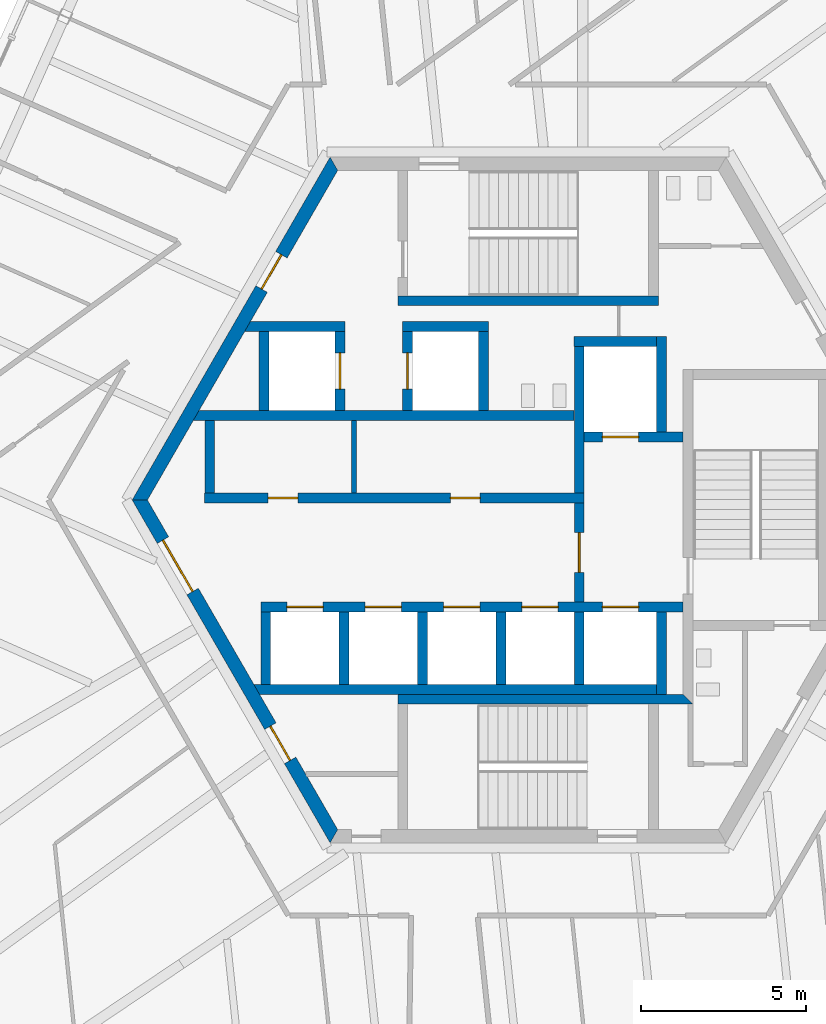
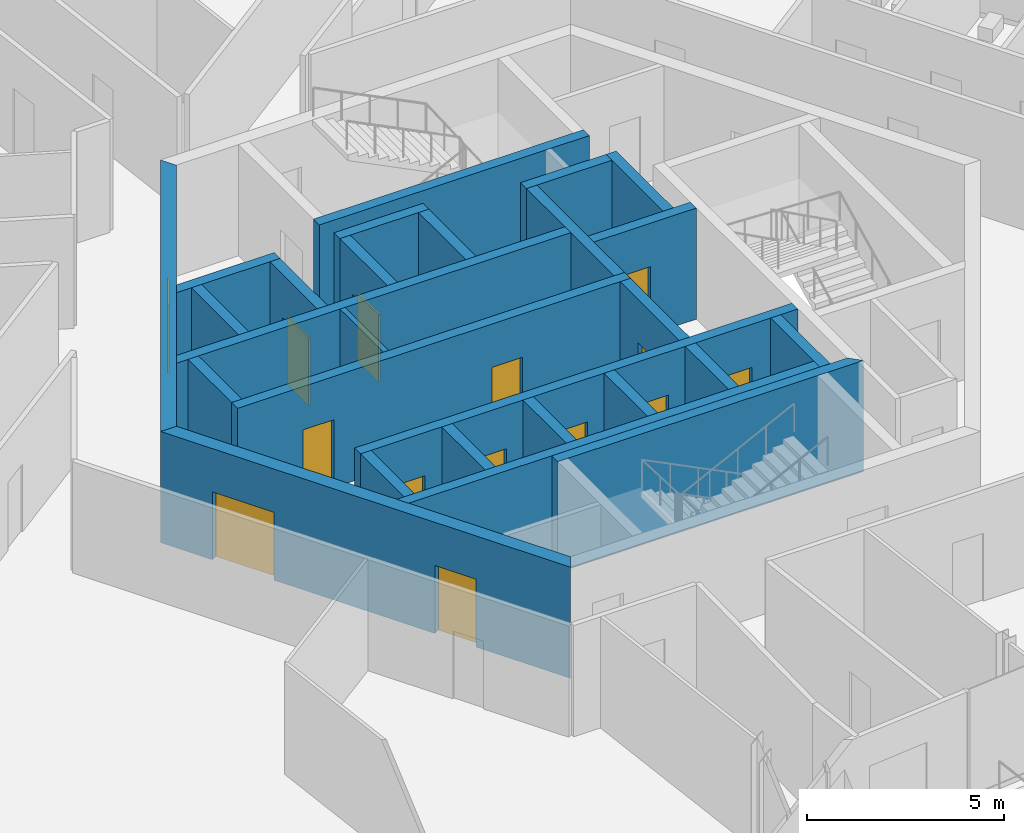
# One storey, part 12 of 19: 27 walls, 14 doors, 14 openings.
"""IFC4 building model written with IfcOpenShell, lengths in metres."""

from ifc_helpers import new_model, si_unit, direction, frame, frame_2d, origin, place, context, subcontext, project, spatial, polyline, rectangle, outline, extrude, source, transform, mapped, material, layer, layer_set, type_object, element, fill, save


model = new_model("IFC4")

# Units and contexts
model_context = context("Model", 3, precision=1e-05, world=origin(), true_north=direction((0.0, 1.0)))
body_context = subcontext(model_context, "Body", "Model", "MODEL_VIEW")
ifc_project = project(units=[si_unit("LENGTHUNIT", "METRE"), si_unit("AREAUNIT", "SQUARE_METRE"), si_unit("VOLUMEUNIT", "CUBIC_METRE"), si_unit("PLANEANGLEUNIT", "RADIAN"), si_unit("MASSUNIT", "GRAM", prefix="KILO")], contexts=[model_context])

# Site, building, storey
site_placement = place(None, origin())
site = spatial("IfcSite", under=ifc_project, at=site_placement, CompositionType="ELEMENT")
building_placement = place(site_placement, origin())
building = spatial("IfcBuilding", under=site, at=building_placement, Name="Triune Harvest Tower", CompositionType="ELEMENT")
storey_placement = place(building_placement, frame((0.0, 0.0, 244.89990234375)))
storey = spatial("IfcBuildingStorey", under=building, at=storey_placement, Name="L64", CompositionType="ELEMENT", Elevation=244.89990234375)

# Wall, opening, door
ifc_material_1 = material(Name="Concrete 70 MPa", Category="concrete")
ifc_layer_1 = layer(ifc_material_1, 0.39990234375)
ifc_layer_set_1 = layer_set([ifc_layer_1], Name="Concrete 70 MPa")
wall_type_1 = type_object("IfcWallType", Name="Core wall 400", PredefinedType="SHEAR", material=ifc_layer_set_1)
shared_shape_1 = source(origin(), body_context, "Body", "SweptSolid", [
    extrude(outline(polyline([(-0.115478515625, -0.199951171875), (11.884521484375, -0.199951171875), (11.653564453125, 0.199951171875), (0.115478515625, 0.199951171875), (-0.115478515625, -0.199951171875)])), origin(), (0.0, 0.0, 1.0), 3.440185546875),
])
wall_1_placement = place(storey_placement, frame((-5.884521484375, 10.1923828125, 0.0), z_axis=(0.0, 0.0, 1.0), x_axis=(-0.499996592174, -0.866027371285, 0.0)))
wall_1 = element("IfcWall", 1, at=wall_1_placement, inside=storey, type_object=wall_type_1, Name="Hexagon 2 wall", PredefinedType="SHEAR", context=body_context, shape_type="MappedRepresentation", body=[
    mapped(shared_shape_1, transform((0.0, 0.0, 0.0), scale=1.0)),
])
opening_1_placement = place(wall_1_placement, frame((3.1845703125, 0.0, 0.0)))
opening_1 = element("IfcOpeningElement", 2, at=opening_1_placement, cuts=wall_1, Name="Opening CD-SVP", PredefinedType="OPENING", context=body_context, shape_type="SweptSolid", body=[
    extrude(rectangle(XDim=1.199951171875, YDim=2.10009765625, at=frame_2d((0.60009765625, 1.050048828125))), frame((0.0, 0.2099609375, 0.0), z_axis=(0.0, -1.0, 0.0), x_axis=(1.0, 0.0, 0.0)), (0.0, 0.0, 1.0), 0.419921875),
])
ifc_material_2 = material(Name="Steel S235", Category="steel")
door_type_1 = type_object("IfcDoorType", Name="Service door 1200 FD120", OperationType="SINGLE_SWING_LEFT", PredefinedType="DOOR", material=ifc_material_2)
door_1_placement = place(opening_1_placement, frame((1.199951171875, 0.0, 0.0), z_axis=(0.0, 0.0, 1.0), x_axis=(-1.0, 0.0, 0.0)))
door_1 = element("IfcDoor", 3, at=door_1_placement, inside=storey, type_object=door_type_1, Name="Door CD-SVP", OperationType="SINGLE_SWING_RIGHT", OverallHeight=2.10009765625, OverallWidth=1.199951171875, PredefinedType="DOOR", context=body_context, shape_type="SweptSolid", body=[
    extrude(rectangle(XDim=1.199951171875, YDim=2.10009765625, at=frame_2d((0.60009765625, 1.050048828125))), frame((0.0, 0.02490234375, 0.0), z_axis=(0.0, -1.0, 0.0), x_axis=(1.0, 0.0, 0.0)), (0.0, 0.0, 1.0), 0.050048828125),
])
fill(opening_1, door_1)

# Wall, openings, doors
wall_2_placement = place(storey_placement, frame((-11.76904296875, 0.0, 0.0), z_axis=(0.0, 0.0, 1.0), x_axis=(0.499996592174, -0.866027371285, 0.0)))
wall_2 = element("IfcWall", 4, at=wall_2_placement, inside=storey, type_object=wall_type_1, Name="Hexagon 3 wall", PredefinedType="SHEAR", context=body_context, shape_type="MappedRepresentation", body=[
    mapped(shared_shape_1, transform((0.0, 0.0, 0.0), scale=1.0)),
])
opening_2_placement = place(wall_2_placement, frame((1.404541015625, 0.0, 0.0)))
opening_2 = element("IfcOpeningElement", 5, at=opening_2_placement, cuts=wall_2, Name="Opening CD-LS", PredefinedType="OPENING", context=body_context, shape_type="SweptSolid", body=[
    extrude(rectangle(XDim=1.800048828125, YDim=2.10009765625, at=frame_2d((0.89990234375, 1.050048828125))), frame((0.0, 0.2099609375, 0.0), z_axis=(0.0, -1.0, 0.0), x_axis=(1.0, 0.0, 0.0)), (0.0, 0.0, 1.0), 0.419921875),
])
opening_3_placement = place(wall_2_placement, frame((7.91455078125, 0.0, 0.0)))
opening_3 = element("IfcOpeningElement", 6, at=opening_3_placement, cuts=wall_2, Name="Opening CD-SWP", PredefinedType="OPENING", context=body_context, shape_type="SweptSolid", body=[
    extrude(rectangle(XDim=1.199951171875, YDim=2.10009765625, at=frame_2d((0.60009765625, 1.050048828125))), frame((0.0, 0.2099609375, 0.0), z_axis=(0.0, -1.0, 0.0), x_axis=(1.0, 0.0, 0.0)), (0.0, 0.0, 1.0), 0.419921875),
])
ifc_material_3 = material(Name="Steel S235", Category="steel")
door_type_2 = type_object("IfcDoorType", Name="Lobby door 1800 FD120", OperationType="DOUBLE_DOOR_DOUBLE_SWING", PredefinedType="DOOR", material=ifc_material_3)
door_2_placement = place(opening_2_placement, frame((1.800048828125, 0.0, 0.0), z_axis=(0.0, 0.0, 1.0), x_axis=(-1.0, 0.0, 0.0)))
door_2 = element("IfcDoor", 7, at=door_2_placement, inside=storey, type_object=door_type_2, Name="Door CD-LS", OperationType="DOUBLE_DOOR_DOUBLE_SWING", OverallHeight=2.10009765625, OverallWidth=1.800048828125, PredefinedType="DOOR", context=body_context, shape_type="SweptSolid", body=[
    extrude(rectangle(XDim=1.800048828125, YDim=2.10009765625, at=frame_2d((0.89990234375, 1.050048828125))), frame((0.0, 0.02490234375, 0.0), z_axis=(0.0, -1.0, 0.0), x_axis=(1.0, 0.0, 0.0)), (0.0, 0.0, 1.0), 0.050048828125),
])
fill(opening_2, door_2)
door_3_placement = place(opening_3_placement, frame((1.199951171875, 0.0, 0.0), z_axis=(0.0, 0.0, 1.0), x_axis=(-1.0, 0.0, 0.0)))
door_3 = element("IfcDoor", 8, at=door_3_placement, inside=storey, type_object=door_type_1, Name="Door CD-SWP", OperationType="SINGLE_SWING_RIGHT", OverallHeight=2.10009765625, OverallWidth=1.199951171875, PredefinedType="DOOR", context=body_context, shape_type="SweptSolid", body=[
    extrude(rectangle(XDim=1.199951171875, YDim=2.10009765625, at=frame_2d((0.60009765625, 1.050048828125))), frame((0.0, 0.02490234375, 0.0), z_axis=(0.0, -1.0, 0.0), x_axis=(1.0, 0.0, 0.0)), (0.0, 0.0, 1.0), 0.050048828125),
])
fill(opening_3, door_3)

ifc_material_4 = material(Name="Concrete 70 MPa", Category="concrete")
ifc_layer_2 = layer(ifc_material_4, 0.300048828125)
ifc_layer_set_2 = layer_set([ifc_layer_2], Name="Concrete 70 MPa")
wall_type_2 = type_object("IfcWallType", Name="Core wall 300", PredefinedType="SHEAR", material=ifc_layer_set_2)
shared_shape_2 = source(origin(), body_context, "Body", "SweptSolid", [
    extrude(rectangle(XDim=11.5, YDim=0.300048828125, at=frame_2d((5.75, 0.0))), origin(), (0.0, 0.0, 1.0), 3.440185546875),
])
wall_3_placement = place(storey_placement, frame((-9.800048828125, 0.06005859375, 0.0), z_axis=(0.0, 0.0, 1.0), x_axis=(1.0, 0.0, 0.0)))
wall_3 = element("IfcWall", 9, at=wall_3_placement, inside=storey, type_object=wall_type_2, Name="North front wall", PredefinedType="SHEAR", context=body_context, shape_type="MappedRepresentation", body=[
    mapped(shared_shape_2, transform((0.0, 0.0, 0.0), scale=1.0)),
])
opening_4_placement = place(wall_3_placement, frame((1.922607421875, 0.0, 0.0)))
opening_4 = element("IfcOpeningElement", 10, at=opening_4_placement, cuts=wall_3, Name="Opening CD-RN1", PredefinedType="OPENING", context=body_context, shape_type="SweptSolid", body=[
    extrude(rectangle(XDim=0.89990234375, YDim=2.10009765625, at=frame_2d((0.449951171875, 1.050048828125))), frame((0.0, 0.16015625, 0.0), z_axis=(0.0, -1.0, 0.0), x_axis=(1.0, 0.0, 0.0)), (0.0, 0.0, 1.0), 0.320068359375),
])
opening_5_placement = place(wall_3_placement, frame((7.447509765625, 0.0, 0.0)))
opening_5 = element("IfcOpeningElement", 11, at=opening_5_placement, cuts=wall_3, Name="Opening CD-RN2", PredefinedType="OPENING", context=body_context, shape_type="SweptSolid", body=[
    extrude(rectangle(XDim=0.89990234375, YDim=2.10009765625, at=frame_2d((0.449951171875, 1.050048828125))), frame((0.0, 0.16015625, 0.0), z_axis=(0.0, -1.0, 0.0), x_axis=(1.0, 0.0, 0.0)), (0.0, 0.0, 1.0), 0.320068359375),
])
ifc_material_5 = material(Name="Steel S235", Category="steel")
door_type_3 = type_object("IfcDoorType", Name="Riser door 900 FD120", OperationType="SINGLE_SWING_LEFT", PredefinedType="DOOR", material=ifc_material_5)
door_4_placement = place(opening_4_placement, frame((0.89990234375, 0.0, 0.0), z_axis=(0.0, 0.0, 1.0), x_axis=(-1.0, 0.0, 0.0)))
door_4 = element("IfcDoor", 12, at=door_4_placement, inside=storey, type_object=door_type_3, Name="Door CD-RN1", OperationType="SINGLE_SWING_RIGHT", OverallHeight=2.10009765625, OverallWidth=0.89990234375, PredefinedType="DOOR", context=body_context, shape_type="SweptSolid", body=[
    extrude(rectangle(XDim=0.89990234375, YDim=2.10009765625, at=frame_2d((0.449951171875, 1.050048828125))), frame((0.0, 0.02490234375, 0.0), z_axis=(0.0, -1.0, 0.0), x_axis=(1.0, 0.0, 0.0)), (0.0, 0.0, 1.0), 0.050048828125),
])
fill(opening_4, door_4)
door_5_placement = place(opening_5_placement, frame((0.89990234375, 0.0, 0.0), z_axis=(0.0, 0.0, 1.0), x_axis=(-1.0, 0.0, 0.0)))
door_5 = element("IfcDoor", 13, at=door_5_placement, inside=storey, type_object=door_type_3, Name="Door CD-RN2", OperationType="SINGLE_SWING_RIGHT", OverallHeight=2.10009765625, OverallWidth=0.89990234375, PredefinedType="DOOR", context=body_context, shape_type="SweptSolid", body=[
    extrude(rectangle(XDim=0.89990234375, YDim=2.10009765625, at=frame_2d((0.449951171875, 1.050048828125))), frame((0.0, 0.02490234375, 0.0), z_axis=(0.0, -1.0, 0.0), x_axis=(1.0, 0.0, 0.0)), (0.0, 0.0, 1.0), 0.050048828125),
])
fill(opening_5, door_5)

# Walls
shared_shape_3 = source(origin(), body_context, "Body", "SweptSolid", [
    extrude(outline(polyline([(11.199951171875, -0.14990234375), (-0.34912109375, -0.14990234375), (-0.17578125, 0.14990234375), (11.199951171875, 0.14990234375), (11.199951171875, -0.14990234375)])), origin(), (0.0, 0.0, 1.0), 3.440185546875),
])
wall_4_placement = place(storey_placement, frame((-9.800048828125, 2.56005859375, 0.0), z_axis=(0.0, 0.0, 1.0), x_axis=(1.0, 0.0, 0.0)))
element("IfcWall", 14, at=wall_4_placement, inside=storey, type_object=wall_type_2, Name="North back wall", PredefinedType="SHEAR", context=body_context, shape_type="MappedRepresentation", body=[
    mapped(shared_shape_3, transform((0.0, 0.0, 0.0), scale=1.0)),
])
shared_shape_4 = source(origin(), body_context, "Body", "SweptSolid", [
    extrude(rectangle(XDim=2.5, YDim=0.300048828125, at=frame_2d((1.25, 0.0))), origin(), (0.0, 0.0, 1.0), 3.440185546875),
])
for number, where, z_axis, x_axis, name in (
    (15, (1.39990234375, 4.81005859375, 0.0), (0.0, 0.0, 1.0), (1.0, 0.0, 0.0), "Ff1 back wall"),
    (16, (4.050048828125, -5.889892578125, 0.0), (0.0, 0.0, 1.0), (0.0, 1.0, 0.0), "Ff2 east wall"),
):
    element("IfcWall", number, at=place(storey_placement, frame(where, z_axis=z_axis, x_axis=x_axis)), inside=storey, type_object=wall_type_2, Name=name, PredefinedType="SHEAR", context=body_context, shape_type="MappedRepresentation", body=[
        mapped(shared_shape_4, transform((0.0, 0.0, 0.0), scale=1.0)),
    ])
shared_shape_5 = source(origin(), body_context, "Body", "SweptSolid", [
    extrude(rectangle(XDim=4.449951171875, YDim=0.300048828125, at=frame_2d((2.22509765625, 0.0))), origin(), (0.0, 0.0, 1.0), 3.440185546875),
])
wall_5_placement = place(storey_placement, frame((1.550048828125, 0.2099609375, 0.0), z_axis=(0.0, 0.0, 1.0), x_axis=(0.0, 1.0, 0.0)))
element("IfcWall", 17, at=wall_5_placement, inside=storey, type_object=wall_type_2, Name="Ff1 west wall", PredefinedType="SHEAR", context=body_context, shape_type="MappedRepresentation", body=[
    mapped(shared_shape_5, transform((0.0, 0.0, 0.0), scale=1.0)),
])

# Wall, opening, door
shared_shape_6 = source(origin(), body_context, "Body", "SweptSolid", [
    extrude(rectangle(XDim=3.0, YDim=0.300048828125, at=frame_2d((1.5, 0.0))), origin(), (0.0, 0.0, 1.0), 3.440185546875),
])
wall_6_placement = place(storey_placement, frame((1.699951171875, 1.909912109375, 0.0), z_axis=(0.0, 0.0, 1.0), x_axis=(1.0, 0.0, 0.0)))
wall_6 = element("IfcWall", 18, at=wall_6_placement, inside=storey, type_object=wall_type_2, Name="Ff1 front wall", PredefinedType="SHEAR", context=body_context, shape_type="MappedRepresentation", body=[
    mapped(shared_shape_6, transform((0.0, 0.0, 0.0), scale=1.0)),
])
opening_6_placement = place(wall_6_placement, frame((0.550048828125, 0.0, 0.0)))
opening_6 = element("IfcOpeningElement", 19, at=opening_6_placement, cuts=wall_6, Name="Opening LD-FF1-64", PredefinedType="OPENING", context=body_context, shape_type="SweptSolid", body=[
    extrude(rectangle(XDim=1.10009765625, YDim=2.10009765625, at=frame_2d((0.550048828125, 1.050048828125))), frame((0.0, 0.16015625, 0.0), z_axis=(0.0, -1.0, 0.0), x_axis=(1.0, 0.0, 0.0)), (0.0, 0.0, 1.0), 0.320068359375),
])
ifc_material_6 = material(Name="Stainless steel AISI 304", Category="steel")
door_type_4 = type_object("IfcDoorType", Name="Landing door 1100 x 2100", OperationType="DOUBLE_DOOR_SLIDING", PredefinedType="DOOR", material=ifc_material_6)
door_6_placement = place(opening_6_placement, origin())
door_6 = element("IfcDoor", 20, at=door_6_placement, inside=storey, type_object=door_type_4, Name="Door LD-FF1-64", OperationType="DOUBLE_DOOR_SLIDING", OverallHeight=2.10009765625, OverallWidth=1.10009765625, PredefinedType="DOOR", context=body_context, shape_type="SweptSolid", body=[
    extrude(rectangle(XDim=1.10009765625, YDim=2.10009765625, at=frame_2d((0.550048828125, 1.050048828125))), frame((0.0, 0.02490234375, 0.0), z_axis=(0.0, -1.0, 0.0), x_axis=(1.0, 0.0, 0.0)), (0.0, 0.0, 1.0), 0.050048828125),
])
fill(opening_6, door_6)

wall_7_placement = place(storey_placement, frame((1.550048828125, -3.090087890625, 0.0), z_axis=(0.0, 0.0, 1.0), x_axis=(0.0, 1.0, 0.0)))
wall_7 = element("IfcWall", 21, at=wall_7_placement, inside=storey, type_object=wall_type_2, Name="Ff lobby west wall", PredefinedType="SHEAR", context=body_context, shape_type="MappedRepresentation", body=[
    mapped(shared_shape_6, transform((0.0, 0.0, 0.0), scale=1.0)),
])
opening_7_placement = place(wall_7_placement, frame((0.89990234375, 0.0, 0.0)))
opening_7 = element("IfcOpeningElement", 22, at=opening_7_placement, cuts=wall_7, Name="Opening CD-FL", PredefinedType="OPENING", context=body_context, shape_type="SweptSolid", body=[
    extrude(rectangle(XDim=1.199951171875, YDim=2.10009765625, at=frame_2d((0.60009765625, 1.050048828125))), frame((0.0, 0.16015625, 0.0), z_axis=(0.0, -1.0, 0.0), x_axis=(1.0, 0.0, 0.0)), (0.0, 0.0, 1.0), 0.320068359375),
])
ifc_material_7 = material(Name="Steel S235", Category="steel")
door_type_5 = type_object("IfcDoorType", Name="Firefighters' lobby door 1200 FD120", OperationType="SINGLE_SWING_LEFT", PredefinedType="DOOR", material=ifc_material_7)
door_7_placement = place(opening_7_placement, frame((1.199951171875, 0.0, 0.0), z_axis=(0.0, 0.0, 1.0), x_axis=(-1.0, 0.0, 0.0)))
door_7 = element("IfcDoor", 23, at=door_7_placement, inside=storey, type_object=door_type_5, Name="Door CD-FL", OperationType="SINGLE_SWING_RIGHT", OverallHeight=2.10009765625, OverallWidth=1.199951171875, PredefinedType="DOOR", context=body_context, shape_type="SweptSolid", body=[
    extrude(rectangle(XDim=1.199951171875, YDim=2.10009765625, at=frame_2d((0.60009765625, 1.050048828125))), frame((0.0, 0.02490234375, 0.0), z_axis=(0.0, -1.0, 0.0), x_axis=(1.0, 0.0, 0.0)), (0.0, 0.0, 1.0), 0.050048828125),
])
fill(opening_7, door_7)

# Wall
shared_shape_7 = source(origin(), body_context, "Body", "SweptSolid", [
    extrude(rectangle(XDim=2.89990234375, YDim=0.300048828125, at=frame_2d((1.449951171875, 0.0))), origin(), (0.0, 0.0, 1.0), 3.440185546875),
])
wall_8_placement = place(storey_placement, frame((4.050048828125, 2.06005859375, 0.0), z_axis=(0.0, 0.0, 1.0), x_axis=(0.0, 1.0, 0.0)))
element("IfcWall", 24, at=wall_8_placement, inside=storey, type_object=wall_type_2, Name="Ff1 east wall", PredefinedType="SHEAR", context=body_context, shape_type="MappedRepresentation", body=[
    mapped(shared_shape_7, transform((0.0, 0.0, 0.0), scale=1.0)),
])

# Wall, openings, doors
shared_shape_8 = source(origin(), body_context, "Body", "SweptSolid", [
    extrude(rectangle(XDim=12.800048828125, YDim=0.300048828125, at=frame_2d((6.39990234375, 0.0))), origin(), (0.0, 0.0, 1.0), 3.440185546875),
])
wall_9_placement = place(storey_placement, frame((-8.10009765625, -3.239990234375, 0.0), z_axis=(0.0, 0.0, 1.0), x_axis=(1.0, 0.0, 0.0)))
wall_9 = element("IfcWall", 25, at=wall_9_placement, inside=storey, type_object=wall_type_2, Name="South front wall", PredefinedType="SHEAR", context=body_context, shape_type="MappedRepresentation", body=[
    mapped(shared_shape_8, transform((0.0, 0.0, 0.0), scale=1.0)),
])
opening_8_placement = place(wall_9_placement, frame((0.78759765625, 0.0, 0.0)))
opening_8 = element("IfcOpeningElement", 26, at=opening_8_placement, cuts=wall_9, Name="Opening LD-HR1-64", PredefinedType="OPENING", context=body_context, shape_type="SweptSolid", body=[
    extrude(rectangle(XDim=1.10009765625, YDim=2.10009765625, at=frame_2d((0.550048828125, 1.050048828125))), frame((0.0, 0.16015625, 0.0), z_axis=(0.0, -1.0, 0.0), x_axis=(1.0, 0.0, 0.0)), (0.0, 0.0, 1.0), 0.320068359375),
])
opening_9_placement = place(wall_9_placement, frame((3.16259765625, 0.0, 0.0)))
opening_9 = element("IfcOpeningElement", 27, at=opening_9_placement, cuts=wall_9, Name="Opening LD-HR2-64", PredefinedType="OPENING", context=body_context, shape_type="SweptSolid", body=[
    extrude(rectangle(XDim=1.10009765625, YDim=2.10009765625, at=frame_2d((0.550048828125, 1.050048828125))), frame((0.0, 0.16015625, 0.0), z_axis=(0.0, -1.0, 0.0), x_axis=(1.0, 0.0, 0.0)), (0.0, 0.0, 1.0), 0.320068359375),
])
opening_10_placement = place(wall_9_placement, frame((5.53759765625, 0.0, 0.0)))
opening_10 = element("IfcOpeningElement", 28, at=opening_10_placement, cuts=wall_9, Name="Opening LD-HR3-64", PredefinedType="OPENING", context=body_context, shape_type="SweptSolid", body=[
    extrude(rectangle(XDim=1.10009765625, YDim=2.10009765625, at=frame_2d((0.550048828125, 1.050048828125))), frame((0.0, 0.16015625, 0.0), z_axis=(0.0, -1.0, 0.0), x_axis=(1.0, 0.0, 0.0)), (0.0, 0.0, 1.0), 0.320068359375),
])
opening_11_placement = place(wall_9_placement, frame((7.91259765625, 0.0, 0.0)))
opening_11 = element("IfcOpeningElement", 29, at=opening_11_placement, cuts=wall_9, Name="Opening LD-HR4-64", PredefinedType="OPENING", context=body_context, shape_type="SweptSolid", body=[
    extrude(rectangle(XDim=1.10009765625, YDim=2.10009765625, at=frame_2d((0.550048828125, 1.050048828125))), frame((0.0, 0.16015625, 0.0), z_axis=(0.0, -1.0, 0.0), x_axis=(1.0, 0.0, 0.0)), (0.0, 0.0, 1.0), 0.320068359375),
])
opening_12_placement = place(wall_9_placement, frame((10.35009765625, 0.0, 0.0)))
opening_12 = element("IfcOpeningElement", 30, at=opening_12_placement, cuts=wall_9, Name="Opening LD-FF2-64", PredefinedType="OPENING", context=body_context, shape_type="SweptSolid", body=[
    extrude(rectangle(XDim=1.10009765625, YDim=2.10009765625, at=frame_2d((0.550048828125, 1.050048828125))), frame((0.0, 0.16015625, 0.0), z_axis=(0.0, -1.0, 0.0), x_axis=(1.0, 0.0, 0.0)), (0.0, 0.0, 1.0), 0.320068359375),
])
door_8_placement = place(opening_8_placement, origin())
door_8 = element("IfcDoor", 31, at=door_8_placement, inside=storey, type_object=door_type_4, Name="Door LD-HR1-64", OperationType="DOUBLE_DOOR_SLIDING", OverallHeight=2.10009765625, OverallWidth=1.10009765625, PredefinedType="DOOR", context=body_context, shape_type="SweptSolid", body=[
    extrude(rectangle(XDim=1.10009765625, YDim=2.10009765625, at=frame_2d((0.550048828125, 1.050048828125))), frame((0.0, 0.02490234375, 0.0), z_axis=(0.0, -1.0, 0.0), x_axis=(1.0, 0.0, 0.0)), (0.0, 0.0, 1.0), 0.050048828125),
])
fill(opening_8, door_8)
door_9_placement = place(opening_9_placement, origin())
door_9 = element("IfcDoor", 32, at=door_9_placement, inside=storey, type_object=door_type_4, Name="Door LD-HR2-64", OperationType="DOUBLE_DOOR_SLIDING", OverallHeight=2.10009765625, OverallWidth=1.10009765625, PredefinedType="DOOR", context=body_context, shape_type="SweptSolid", body=[
    extrude(rectangle(XDim=1.10009765625, YDim=2.10009765625, at=frame_2d((0.550048828125, 1.050048828125))), frame((0.0, 0.02490234375, 0.0), z_axis=(0.0, -1.0, 0.0), x_axis=(1.0, 0.0, 0.0)), (0.0, 0.0, 1.0), 0.050048828125),
])
fill(opening_9, door_9)
door_10_placement = place(opening_10_placement, origin())
door_10 = element("IfcDoor", 33, at=door_10_placement, inside=storey, type_object=door_type_4, Name="Door LD-HR3-64", OperationType="DOUBLE_DOOR_SLIDING", OverallHeight=2.10009765625, OverallWidth=1.10009765625, PredefinedType="DOOR", context=body_context, shape_type="SweptSolid", body=[
    extrude(rectangle(XDim=1.10009765625, YDim=2.10009765625, at=frame_2d((0.550048828125, 1.050048828125))), frame((0.0, 0.02490234375, 0.0), z_axis=(0.0, -1.0, 0.0), x_axis=(1.0, 0.0, 0.0)), (0.0, 0.0, 1.0), 0.050048828125),
])
fill(opening_10, door_10)
door_11_placement = place(opening_11_placement, origin())
door_11 = element("IfcDoor", 34, at=door_11_placement, inside=storey, type_object=door_type_4, Name="Door LD-HR4-64", OperationType="DOUBLE_DOOR_SLIDING", OverallHeight=2.10009765625, OverallWidth=1.10009765625, PredefinedType="DOOR", context=body_context, shape_type="SweptSolid", body=[
    extrude(rectangle(XDim=1.10009765625, YDim=2.10009765625, at=frame_2d((0.550048828125, 1.050048828125))), frame((0.0, 0.02490234375, 0.0), z_axis=(0.0, -1.0, 0.0), x_axis=(1.0, 0.0, 0.0)), (0.0, 0.0, 1.0), 0.050048828125),
])
fill(opening_11, door_11)
door_12_placement = place(opening_12_placement, origin())
door_12 = element("IfcDoor", 35, at=door_12_placement, inside=storey, type_object=door_type_4, Name="Door LD-FF2-64", OperationType="DOUBLE_DOOR_SLIDING", OverallHeight=2.10009765625, OverallWidth=1.10009765625, PredefinedType="DOOR", context=body_context, shape_type="SweptSolid", body=[
    extrude(rectangle(XDim=1.10009765625, YDim=2.10009765625, at=frame_2d((0.550048828125, 1.050048828125))), frame((0.0, 0.02490234375, 0.0), z_axis=(0.0, -1.0, 0.0), x_axis=(1.0, 0.0, 0.0)), (0.0, 0.0, 1.0), 0.050048828125),
])
fill(opening_12, door_12)

# Walls
shared_shape_9 = source(origin(), body_context, "Body", "SweptSolid", [
    extrude(outline(polyline([(12.0, -0.14990234375), (-0.039794921875, -0.14990234375), (-0.212890625, 0.14990234375), (12.0, 0.14990234375), (12.0, -0.14990234375)])), origin(), (0.0, 0.0, 1.0), 3.440185546875),
])
wall_10_placement = place(storey_placement, frame((-8.10009765625, -5.739990234375, 0.0), z_axis=(0.0, 0.0, 1.0), x_axis=(1.0, 0.0, 0.0)))
element("IfcWall", 36, at=wall_10_placement, inside=storey, type_object=wall_type_2, Name="South back wall", PredefinedType="SHEAR", context=body_context, shape_type="MappedRepresentation", body=[
    mapped(shared_shape_9, transform((0.0, 0.0, 0.0), scale=1.0)),
])
shared_shape_10 = source(origin(), body_context, "Body", "SweptSolid", [
    extrude(rectangle(XDim=2.2001953125, YDim=0.300048828125, at=frame_2d((1.10009765625, 0.0))), origin(), (0.0, 0.0, 1.0), 3.440185546875),
])
for number, where, z_axis, x_axis, name in (
    (37, (-7.949951171875, -5.590087890625, 0.0), (0.0, 0.0, 1.0), (0.0, 1.0, 0.0), "South end west wall"),
    (38, (1.550048828125, -5.590087890625, 0.0), (0.0, 0.0, 1.0), (0.0, 1.0, 0.0), "Ff2 west wall"),
    (39, (-5.574951171875, -5.590087890625, 0.0), (0.0, 0.0, 1.0), (0.0, 1.0, 0.0), "South cross 1 wall"),
    (40, (-3.199951171875, -5.590087890625, 0.0), (0.0, 0.0, 1.0), (0.0, 1.0, 0.0), "South cross 2 wall"),
    (41, (-0.824951171875, -5.590087890625, 0.0), (0.0, 0.0, 1.0), (0.0, 1.0, 0.0), "South cross 3 wall"),
):
    element("IfcWall", number, at=place(storey_placement, frame(where, z_axis=z_axis, x_axis=x_axis)), inside=storey, type_object=wall_type_2, Name=name, PredefinedType="SHEAR", context=body_context, shape_type="MappedRepresentation", body=[
        mapped(shared_shape_10, transform((0.0, 0.0, 0.0), scale=1.0)),
    ])
shared_shape_11 = source(origin(), body_context, "Body", "SweptSolid", [
    extrude(rectangle(XDim=2.199951171875, YDim=0.300048828125, at=frame_2d((1.10009765625, 0.0))), origin(), (0.0, 0.0, 1.0), 3.440185546875),
])
wall_11_placement = place(storey_placement, frame((-9.64990234375, 0.2099609375, 0.0), z_axis=(0.0, 0.0, 1.0), x_axis=(0.0, 1.0, 0.0)))
element("IfcWall", 42, at=wall_11_placement, inside=storey, type_object=wall_type_2, Name="North end west wall", PredefinedType="SHEAR", context=body_context, shape_type="MappedRepresentation", body=[
    mapped(shared_shape_11, transform((0.0, 0.0, 0.0), scale=1.0)),
])
shared_shape_12 = source(origin(), body_context, "Body", "SweptSolid", [
    extrude(rectangle(XDim=7.89990234375, YDim=0.300048828125, at=frame_2d((3.949951171875, 0.0))), origin(), (0.0, 0.0, 1.0), 3.440185546875),
])
wall_12_placement = place(storey_placement, frame((-3.949951171875, 6.0400390625, 0.0), z_axis=(0.0, 0.0, 1.0), x_axis=(1.0, 0.0, 0.0)))
element("IfcWall", 43, at=wall_12_placement, inside=storey, type_object=wall_type_2, Name="Stair n south wall", PredefinedType="SHEAR", context=body_context, shape_type="MappedRepresentation", body=[
    mapped(shared_shape_12, transform((0.0, 0.0, 0.0), scale=1.0)),
])
shared_shape_13 = source(origin(), body_context, "Body", "SweptSolid", [
    extrude(outline(polyline([(0.0, -0.14990234375), (8.949951171875, -0.14990234375), (8.64990234375, 0.14990234375), (0.0, 0.14990234375), (0.0, -0.14990234375)])), origin(), (0.0, 0.0, 1.0), 3.440185546875),
])
wall_13_placement = place(storey_placement, frame((-3.949951171875, -6.0400390625, 0.0), z_axis=(0.0, 0.0, 1.0), x_axis=(1.0, 0.0, 0.0)))
element("IfcWall", 44, at=wall_13_placement, inside=storey, type_object=wall_type_2, Name="Stair s north wall", PredefinedType="SHEAR", context=body_context, shape_type="MappedRepresentation", body=[
    mapped(shared_shape_13, transform((0.0, 0.0, 0.0), scale=1.0)),
])
shared_shape_14 = source(origin(), body_context, "Body", "SweptSolid", [
    extrude(outline(polyline([(2.60009765625, -0.14990234375), (-0.440185546875, -0.14990234375), (-0.26708984375, 0.14990234375), (2.60009765625, 0.14990234375), (2.60009765625, -0.14990234375)])), origin(), (0.0, 0.0, 1.0), 3.440185546875),
])
wall_14_placement = place(storey_placement, frame((-8.14990234375, 5.260009765625, 0.0), z_axis=(0.0, 0.0, 1.0), x_axis=(1.0, 0.0, 0.0)))
element("IfcWall", 45, at=wall_14_placement, inside=storey, type_object=wall_type_2, Name="Sv1 north wall", PredefinedType="SHEAR", context=body_context, shape_type="MappedRepresentation", body=[
    mapped(shared_shape_14, transform((0.0, 0.0, 0.0), scale=1.0)),
])
shared_shape_15 = source(origin(), body_context, "Body", "SweptSolid", [
    extrude(rectangle(XDim=2.400146484375, YDim=0.300048828125, at=frame_2d((1.2001953125, 0.0))), origin(), (0.0, 0.0, 1.0), 3.440185546875),
])
wall_15_placement = place(storey_placement, frame((-8.0, 2.7099609375, 0.0), z_axis=(0.0, 0.0, 1.0), x_axis=(0.0, 1.0, 0.0)))
element("IfcWall", 46, at=wall_15_placement, inside=storey, type_object=wall_type_2, Name="Sv1 west wall", PredefinedType="SHEAR", context=body_context, shape_type="MappedRepresentation", body=[
    mapped(shared_shape_15, transform((0.0, 0.0, 0.0), scale=1.0)),
])

# Wall, opening, door
wall_16_placement = place(storey_placement, frame((-5.699951171875, 2.7099609375, 0.0), z_axis=(0.0, 0.0, 1.0), x_axis=(0.0, 1.0, 0.0)))
wall_16 = element("IfcWall", 47, at=wall_16_placement, inside=storey, type_object=wall_type_2, Name="Sv1 east wall", PredefinedType="SHEAR", context=body_context, shape_type="MappedRepresentation", body=[
    mapped(shared_shape_15, transform((0.0, 0.0, 0.0), scale=1.0)),
])
opening_13_placement = place(wall_16_placement, frame((0.64990234375, 0.0, 0.0)))
opening_13 = element("IfcOpeningElement", 48, at=opening_13_placement, cuts=wall_16, Name="Opening LD-SV1-64", PredefinedType="OPENING", context=body_context, shape_type="SweptSolid", body=[
    extrude(rectangle(XDim=1.10009765625, YDim=2.10009765625, at=frame_2d((0.550048828125, 1.050048828125))), frame((0.0, 0.16015625, 0.0), z_axis=(0.0, -1.0, 0.0), x_axis=(1.0, 0.0, 0.0)), (0.0, 0.0, 1.0), 0.320068359375),
])
door_13_placement = place(opening_13_placement, origin())
door_13 = element("IfcDoor", 49, at=door_13_placement, inside=storey, type_object=door_type_4, Name="Door LD-SV1-64", OperationType="DOUBLE_DOOR_SLIDING", OverallHeight=2.10009765625, OverallWidth=1.10009765625, PredefinedType="DOOR", context=body_context, shape_type="SweptSolid", body=[
    extrude(rectangle(XDim=1.10009765625, YDim=2.10009765625, at=frame_2d((0.550048828125, 1.050048828125))), frame((0.0, 0.02490234375, 0.0), z_axis=(0.0, -1.0, 0.0), x_axis=(1.0, 0.0, 0.0)), (0.0, 0.0, 1.0), 0.050048828125),
])
fill(opening_13, door_13)

wall_17_placement = place(storey_placement, frame((-3.64990234375, 2.7099609375, 0.0), z_axis=(0.0, 0.0, 1.0), x_axis=(0.0, 1.0, 0.0)))
wall_17 = element("IfcWall", 50, at=wall_17_placement, inside=storey, type_object=wall_type_2, Name="Sv2 west wall", PredefinedType="SHEAR", context=body_context, shape_type="MappedRepresentation", body=[
    mapped(shared_shape_15, transform((0.0, 0.0, 0.0), scale=1.0)),
])
opening_14_placement = place(wall_17_placement, frame((0.64990234375, 0.0, 0.0)))
opening_14 = element("IfcOpeningElement", 51, at=opening_14_placement, cuts=wall_17, Name="Opening LD-SV2-64", PredefinedType="OPENING", context=body_context, shape_type="SweptSolid", body=[
    extrude(rectangle(XDim=1.10009765625, YDim=2.10009765625, at=frame_2d((0.550048828125, 1.050048828125))), frame((0.0, 0.16015625, 0.0), z_axis=(0.0, -1.0, 0.0), x_axis=(1.0, 0.0, 0.0)), (0.0, 0.0, 1.0), 0.320068359375),
])
door_14_placement = place(opening_14_placement, origin())
door_14 = element("IfcDoor", 52, at=door_14_placement, inside=storey, type_object=door_type_4, Name="Door LD-SV2-64", OperationType="DOUBLE_DOOR_SLIDING", OverallHeight=2.10009765625, OverallWidth=1.10009765625, PredefinedType="DOOR", context=body_context, shape_type="SweptSolid", body=[
    extrude(rectangle(XDim=1.10009765625, YDim=2.10009765625, at=frame_2d((0.550048828125, 1.050048828125))), frame((0.0, 0.02490234375, 0.0), z_axis=(0.0, -1.0, 0.0), x_axis=(1.0, 0.0, 0.0)), (0.0, 0.0, 1.0), 0.050048828125),
])
fill(opening_14, door_14)

# Walls
wall_18_placement = place(storey_placement, frame((-1.35009765625, 2.7099609375, 0.0), z_axis=(0.0, 0.0, 1.0), x_axis=(0.0, 1.0, 0.0)))
element("IfcWall", 53, at=wall_18_placement, inside=storey, type_object=wall_type_2, Name="Sv2 east wall", PredefinedType="SHEAR", context=body_context, shape_type="MappedRepresentation", body=[
    mapped(shared_shape_15, transform((0.0, 0.0, 0.0), scale=1.0)),
])
shared_shape_16 = source(origin(), body_context, "Body", "SweptSolid", [
    extrude(rectangle(XDim=2.60009765625, YDim=0.300048828125, at=frame_2d((1.300048828125, 0.0))), origin(), (0.0, 0.0, 1.0), 3.440185546875),
])
wall_19_placement = place(storey_placement, frame((-3.800048828125, 5.260009765625, 0.0), z_axis=(0.0, 0.0, 1.0), x_axis=(1.0, 0.0, 0.0)))
element("IfcWall", 54, at=wall_19_placement, inside=storey, type_object=wall_type_2, Name="Sv2 north wall", PredefinedType="SHEAR", context=body_context, shape_type="MappedRepresentation", body=[
    mapped(shared_shape_16, transform((0.0, 0.0, 0.0), scale=1.0)),
])
ifc_material_8 = material(Name="Concrete masonry unit", Category="masonry")
ifc_layer_3 = layer(ifc_material_8, 0.14990234375)
ifc_layer_set_3 = layer_set([ifc_layer_3], Name="Concrete masonry unit")
wall_type_3 = type_object("IfcWallType", Name="Block partition 150", PredefinedType="PARTITIONING", material=ifc_layer_set_3)
shared_shape_17 = source(origin(), body_context, "Body", "SweptSolid", [
    extrude(rectangle(XDim=2.199951171875, YDim=0.14990234375, at=frame_2d((1.10009765625, 0.0))), origin(), (0.0, 0.0, 1.0), 3.440185546875),
])
wall_20_placement = place(storey_placement, frame((-5.280029296875, 0.2099609375, 0.0), z_axis=(0.0, 0.0, 1.0), x_axis=(0.0, 1.0, 0.0)))
element("IfcWall", 55, at=wall_20_placement, inside=storey, type_object=wall_type_3, Name="Row n part 1 wall", PredefinedType="PARTITIONING", context=body_context, shape_type="MappedRepresentation", body=[
    mapped(shared_shape_17, transform((0.0, 0.0, 0.0), scale=1.0)),
])

save(model, "model.ifc")
